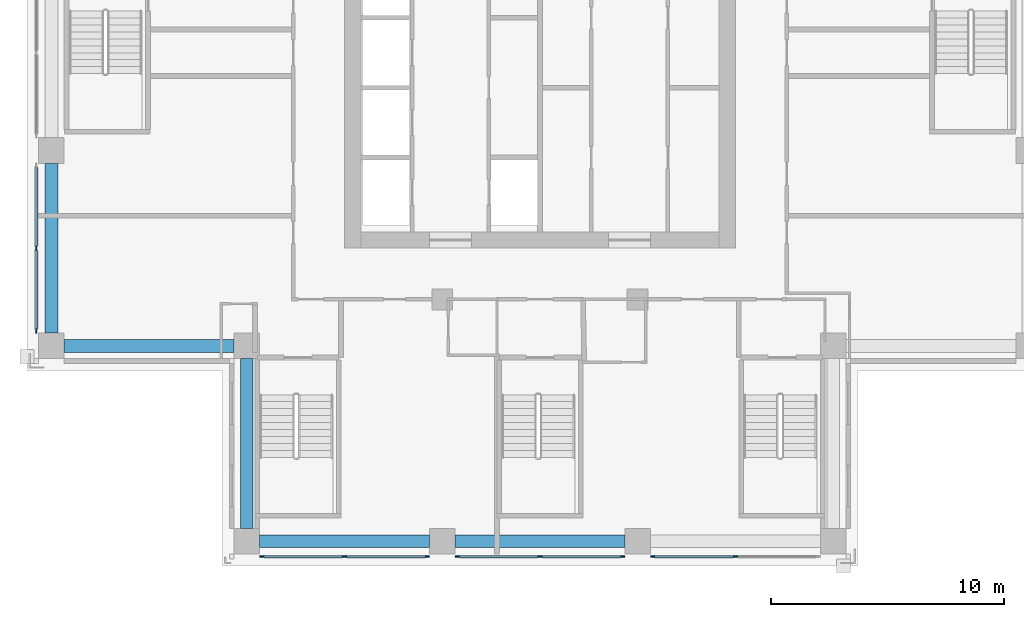
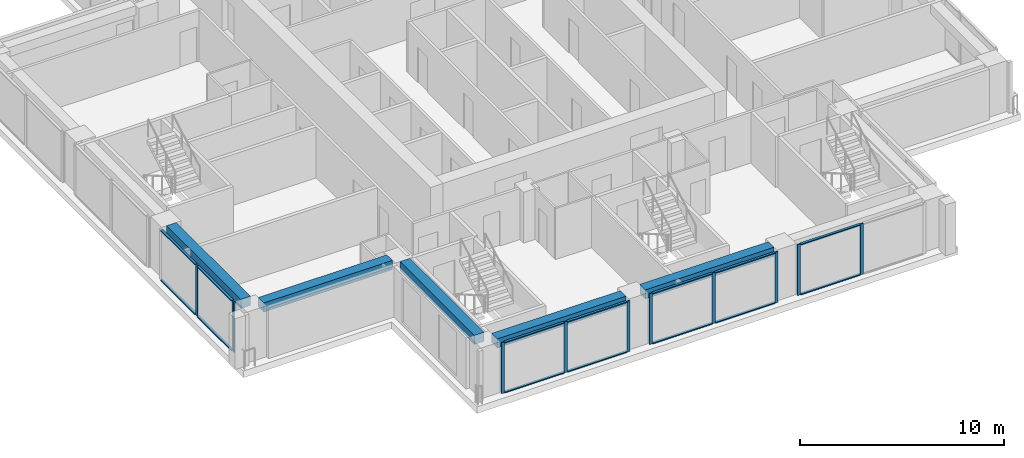
# One storey, part 2 of 16: 24 members, 5 beams, 4 elements without a shape of their own.
"""IFC4 building model written with IfcOpenShell, lengths in metres."""

from ifc_helpers import new_model, si_unit, direction, frame, origin, origin_2d, place, context, subcontext, project, spatial, rectangle, extrude, material, material_profile, profile_set, type_object, element, aggregate, save


model = new_model("IFC4")

# Units and contexts
model_context = context("Model", 3, precision=1e-05, world=origin(), true_north=direction((0.0, 1.0)))
body_context = subcontext(model_context, "Body", "Model", "MODEL_VIEW")
ifc_project = project(units=[si_unit("LENGTHUNIT", "METRE"), si_unit("AREAUNIT", "SQUARE_METRE"), si_unit("VOLUMEUNIT", "CUBIC_METRE"), si_unit("PLANEANGLEUNIT", "RADIAN"), si_unit("MASSUNIT", "GRAM", prefix="KILO")], contexts=[model_context])

# Site, building, storey
site_placement = place(None, origin())
site = spatial("IfcSite", under=ifc_project, at=site_placement, CompositionType="ELEMENT")
building_placement = place(site_placement, origin())
building = spatial("IfcBuilding", under=site, at=building_placement, Name="Vermilion Ogive Tower", CompositionType="ELEMENT")
storey_placement = place(building_placement, frame((0.0, 0.0, 140.0)))
storey = spatial("IfcBuildingStorey", under=building, at=storey_placement, Name="L35", CompositionType="ELEMENT", Elevation=140.0)

# Curtain wall, members
ifc_material_1 = material(Name="Low-iron laminated glazing in aluminium frame", Category="aluminium")
curtain_wall_type = type_object("IfcCurtainWallType", Name="Curtain wall CW7", PredefinedType="NOTDEFINED", material=ifc_material_1)
curtain_wall_1_placement = place(storey_placement, origin())
curtain_wall_1 = element("IfcCurtainWall", 1, at=curtain_wall_1_placement, inside=storey, type_object=curtain_wall_type, Name="Glazed skin S1", PredefinedType="NOTDEFINED")
ifc_material_2 = material(Name="Aluminium mullion", Category="aluminium")
ifc_material_profile_1 = material_profile(ifc_material_2, rectangle(XDim=0.06005859375, YDim=0.179931640625, at=origin_2d()), Name="AL 60x180")
ifc_profile_set_1 = profile_set([ifc_material_profile_1], Name="Aluminium mullion")
member_type_1 = type_object("IfcMemberType", Name="CW7 mullion 60x180", PredefinedType="MULLION", material=ifc_profile_set_1)
member_1_placement = place(storey_placement, frame((-11.9599609375, -21.64990234375, 0.0), z_axis=(0.0, 0.0, 1.0), x_axis=(0.0, 1.0, 0.0)))
member_1 = element("IfcMember", 2, at=member_1_placement, type_object=member_type_1, Name="CW7-S1 mullion 1", PredefinedType="MULLION", context=body_context, shape_type="SweptSolid", body=[
    extrude(rectangle(XDim=0.06005859375, YDim=0.179931640625, at=origin_2d()), origin(), (0.0, 0.0, 1.0), 3.050048828125),
])
member_2_placement = place(storey_placement, frame((-8.39990234375, -21.64990234375, 0.0), z_axis=(0.0, 0.0, 1.0), x_axis=(0.0, 1.0, 0.0)))
member_2 = element("IfcMember", 3, at=member_2_placement, type_object=member_type_1, Name="CW7-S1 mullion 2", PredefinedType="MULLION", context=body_context, shape_type="SweptSolid", body=[
    extrude(rectangle(XDim=0.06005859375, YDim=0.179931640625, at=origin_2d()), origin(), (0.0, 0.0, 1.0), 3.050048828125),
])
member_3_placement = place(storey_placement, frame((-4.840087890625, -21.64990234375, 0.0), z_axis=(0.0, 0.0, 1.0), x_axis=(0.0, 1.0, 0.0)))
member_3 = element("IfcMember", 4, at=member_3_placement, type_object=member_type_1, Name="CW7-S1 mullion 3", PredefinedType="MULLION", context=body_context, shape_type="SweptSolid", body=[
    extrude(rectangle(XDim=0.06005859375, YDim=0.179931640625, at=origin_2d()), origin(), (0.0, 0.0, 1.0), 3.050048828125),
])

curtain_wall_2_placement = place(storey_placement, origin())
curtain_wall_2 = element("IfcCurtainWall", 5, at=curtain_wall_2_placement, inside=storey, type_object=curtain_wall_type, Name="Glazed skin S2", PredefinedType="NOTDEFINED")
member_4_placement = place(storey_placement, frame((-3.56005859375, -21.64990234375, 0.0), z_axis=(0.0, 0.0, 1.0), x_axis=(0.0, 1.0, 0.0)))
member_4 = element("IfcMember", 6, at=member_4_placement, type_object=member_type_1, Name="CW7-S2 mullion 1", PredefinedType="MULLION", context=body_context, shape_type="SweptSolid", body=[
    extrude(rectangle(XDim=0.06005859375, YDim=0.179931640625, at=origin_2d()), origin(), (0.0, 0.0, 1.0), 3.050048828125),
])
member_5_placement = place(storey_placement, frame((0.0, -21.64990234375, 0.0), z_axis=(0.0, 0.0, 1.0), x_axis=(0.0, 1.0, 0.0)))
member_5 = element("IfcMember", 7, at=member_5_placement, type_object=member_type_1, Name="CW7-S2 mullion 2", PredefinedType="MULLION", context=body_context, shape_type="SweptSolid", body=[
    extrude(rectangle(XDim=0.06005859375, YDim=0.179931640625, at=origin_2d()), origin(), (0.0, 0.0, 1.0), 3.050048828125),
])
member_6_placement = place(storey_placement, frame((3.56005859375, -21.64990234375, 0.0), z_axis=(0.0, 0.0, 1.0), x_axis=(0.0, 1.0, 0.0)))
member_6 = element("IfcMember", 8, at=member_6_placement, type_object=member_type_1, Name="CW7-S2 mullion 3", PredefinedType="MULLION", context=body_context, shape_type="SweptSolid", body=[
    extrude(rectangle(XDim=0.06005859375, YDim=0.179931640625, at=origin_2d()), origin(), (0.0, 0.0, 1.0), 3.050048828125),
])

curtain_wall_3_placement = place(storey_placement, origin())
curtain_wall_3 = element("IfcCurtainWall", 9, at=curtain_wall_3_placement, inside=storey, type_object=curtain_wall_type, Name="Glazed skin S3", PredefinedType="NOTDEFINED")
member_7_placement = place(storey_placement, frame((4.840087890625, -21.64990234375, 0.0), z_axis=(0.0, 0.0, 1.0), x_axis=(0.0, 1.0, 0.0)))
member_7 = element("IfcMember", 10, at=member_7_placement, type_object=member_type_1, Name="CW7-S3 mullion 1", PredefinedType="MULLION", context=body_context, shape_type="SweptSolid", body=[
    extrude(rectangle(XDim=0.06005859375, YDim=0.179931640625, at=origin_2d()), origin(), (0.0, 0.0, 1.0), 3.050048828125),
])
member_8_placement = place(storey_placement, frame((8.39990234375, -21.64990234375, 0.0), z_axis=(0.0, 0.0, 1.0), x_axis=(0.0, 1.0, 0.0)))
member_8 = element("IfcMember", 11, at=member_8_placement, type_object=member_type_1, Name="CW7-S3 mullion 2", PredefinedType="MULLION", context=body_context, shape_type="SweptSolid", body=[
    extrude(rectangle(XDim=0.06005859375, YDim=0.179931640625, at=origin_2d()), origin(), (0.0, 0.0, 1.0), 3.050048828125),
])

curtain_wall_4_placement = place(storey_placement, origin())
curtain_wall_4 = element("IfcCurtainWall", 12, at=curtain_wall_4_placement, inside=storey, type_object=curtain_wall_type, Name="Glazed skin W3", PredefinedType="NOTDEFINED")
member_9_placement = place(storey_placement, frame((-21.64990234375, -8.39990234375, 0.0), z_axis=(0.0, 0.0, 1.0), x_axis=(1.0, 0.0, 0.0)))
member_9 = element("IfcMember", 13, at=member_9_placement, type_object=member_type_1, Name="CW7-W3 mullion 2", PredefinedType="MULLION", context=body_context, shape_type="SweptSolid", body=[
    extrude(rectangle(XDim=0.06005859375, YDim=0.179931640625, at=origin_2d()), origin(), (0.0, 0.0, 1.0), 3.050048828125),
])
member_10_placement = place(storey_placement, frame((-21.64990234375, -11.9599609375, 0.0), z_axis=(0.0, 0.0, 1.0), x_axis=(1.0, 0.0, 0.0)))
member_10 = element("IfcMember", 14, at=member_10_placement, type_object=member_type_1, Name="CW7-W3 mullion 3", PredefinedType="MULLION", context=body_context, shape_type="SweptSolid", body=[
    extrude(rectangle(XDim=0.06005859375, YDim=0.179931640625, at=origin_2d()), origin(), (0.0, 0.0, 1.0), 3.050048828125),
])

# Member
ifc_material_3 = material(Name="Aluminium transom", Category="aluminium")
ifc_material_profile_2 = material_profile(ifc_material_3, rectangle(XDim=0.139892578125, YDim=0.06005859375, at=origin_2d()), Name="AL 60x140")
ifc_profile_set_2 = profile_set([ifc_material_profile_2], Name="Aluminium transom")
member_type_2 = type_object("IfcMemberType", Name="CW7 transom 60x140", PredefinedType="USERDEFINED", material=ifc_profile_set_2)
member_11_placement = place(storey_placement, frame((-11.8701171875, -21.64990234375, 0.030029296875), z_axis=(1.0, 0.0, 0.0), x_axis=(0.0, 1.0, 0.0)))
member_11 = element("IfcMember", 15, at=member_11_placement, type_object=member_type_2, Name="CW7-S1 transom 1.1", ObjectType="TRANSOM", PredefinedType="USERDEFINED", context=body_context, shape_type="SweptSolid", body=[
    extrude(rectangle(XDim=0.139892578125, YDim=0.06005859375, at=origin_2d()), origin(), (0.0, 0.0, 1.0), 3.380126953125),
])

member_12_placement = place(storey_placement, frame((-11.8701171875, -21.64990234375, 3.02001953125), z_axis=(1.0, 0.0, 0.0), x_axis=(0.0, 1.0, 0.0)))
member_12 = element("IfcMember", 16, at=member_12_placement, type_object=member_type_2, Name="CW7-S1 transom 1.2", ObjectType="TRANSOM", PredefinedType="USERDEFINED", context=body_context, shape_type="SweptSolid", body=[
    extrude(rectangle(XDim=0.139892578125, YDim=0.06005859375, at=origin_2d()), origin(), (0.0, 0.0, 1.0), 3.380126953125),
])

member_13_placement = place(storey_placement, frame((-8.31005859375, -21.64990234375, 0.030029296875), z_axis=(1.0, 0.0, 0.0), x_axis=(0.0, 1.0, 0.0)))
member_13 = element("IfcMember", 17, at=member_13_placement, type_object=member_type_2, Name="CW7-S1 transom 2.1", ObjectType="TRANSOM", PredefinedType="USERDEFINED", context=body_context, shape_type="SweptSolid", body=[
    extrude(rectangle(XDim=0.139892578125, YDim=0.06005859375, at=origin_2d()), origin(), (0.0, 0.0, 1.0), 3.380126953125),
])

member_14_placement = place(storey_placement, frame((-8.31005859375, -21.64990234375, 3.02001953125), z_axis=(1.0, 0.0, 0.0), x_axis=(0.0, 1.0, 0.0)))
member_14 = element("IfcMember", 18, at=member_14_placement, type_object=member_type_2, Name="CW7-S1 transom 2.2", ObjectType="TRANSOM", PredefinedType="USERDEFINED", context=body_context, shape_type="SweptSolid", body=[
    extrude(rectangle(XDim=0.139892578125, YDim=0.06005859375, at=origin_2d()), origin(), (0.0, 0.0, 1.0), 3.380126953125),
])

aggregate(curtain_wall_1, [member_1, member_2, member_3, member_11, member_12, member_13, member_14])

member_15_placement = place(storey_placement, frame((-3.469970703125, -21.64990234375, 0.030029296875), z_axis=(1.0, 0.0, 0.0), x_axis=(0.0, 1.0, 0.0)))
member_15 = element("IfcMember", 19, at=member_15_placement, type_object=member_type_2, Name="CW7-S2 transom 1.1", ObjectType="TRANSOM", PredefinedType="USERDEFINED", context=body_context, shape_type="SweptSolid", body=[
    extrude(rectangle(XDim=0.139892578125, YDim=0.06005859375, at=origin_2d()), origin(), (0.0, 0.0, 1.0), 3.3798828125),
])

member_16_placement = place(storey_placement, frame((-3.469970703125, -21.64990234375, 3.02001953125), z_axis=(1.0, 0.0, 0.0), x_axis=(0.0, 1.0, 0.0)))
member_16 = element("IfcMember", 20, at=member_16_placement, type_object=member_type_2, Name="CW7-S2 transom 1.2", ObjectType="TRANSOM", PredefinedType="USERDEFINED", context=body_context, shape_type="SweptSolid", body=[
    extrude(rectangle(XDim=0.139892578125, YDim=0.06005859375, at=origin_2d()), origin(), (0.0, 0.0, 1.0), 3.3798828125),
])

member_17_placement = place(storey_placement, frame((0.090087890625, -21.64990234375, 0.030029296875), z_axis=(1.0, 0.0, 0.0), x_axis=(0.0, 1.0, 0.0)))
member_17 = element("IfcMember", 21, at=member_17_placement, type_object=member_type_2, Name="CW7-S2 transom 2.1", ObjectType="TRANSOM", PredefinedType="USERDEFINED", context=body_context, shape_type="SweptSolid", body=[
    extrude(rectangle(XDim=0.139892578125, YDim=0.06005859375, at=origin_2d()), origin(), (0.0, 0.0, 1.0), 3.3798828125),
])

member_18_placement = place(storey_placement, frame((0.090087890625, -21.64990234375, 3.02001953125), z_axis=(1.0, 0.0, 0.0), x_axis=(0.0, 1.0, 0.0)))
member_18 = element("IfcMember", 22, at=member_18_placement, type_object=member_type_2, Name="CW7-S2 transom 2.2", ObjectType="TRANSOM", PredefinedType="USERDEFINED", context=body_context, shape_type="SweptSolid", body=[
    extrude(rectangle(XDim=0.139892578125, YDim=0.06005859375, at=origin_2d()), origin(), (0.0, 0.0, 1.0), 3.3798828125),
])

aggregate(curtain_wall_2, [member_4, member_5, member_6, member_15, member_16, member_17, member_18])

member_19_placement = place(storey_placement, frame((4.929931640625, -21.64990234375, 0.030029296875), z_axis=(1.0, 0.0, 0.0), x_axis=(0.0, 1.0, 0.0)))
member_19 = element("IfcMember", 23, at=member_19_placement, type_object=member_type_2, Name="CW7-S3 transom 1.1", ObjectType="TRANSOM", PredefinedType="USERDEFINED", context=body_context, shape_type="SweptSolid", body=[
    extrude(rectangle(XDim=0.139892578125, YDim=0.06005859375, at=origin_2d()), origin(), (0.0, 0.0, 1.0), 3.380126953125),
])

member_20_placement = place(storey_placement, frame((4.929931640625, -21.64990234375, 3.02001953125), z_axis=(1.0, 0.0, 0.0), x_axis=(0.0, 1.0, 0.0)))
member_20 = element("IfcMember", 24, at=member_20_placement, type_object=member_type_2, Name="CW7-S3 transom 1.2", ObjectType="TRANSOM", PredefinedType="USERDEFINED", context=body_context, shape_type="SweptSolid", body=[
    extrude(rectangle(XDim=0.139892578125, YDim=0.06005859375, at=origin_2d()), origin(), (0.0, 0.0, 1.0), 3.380126953125),
])

aggregate(curtain_wall_3, [member_7, member_8, member_19, member_20])

member_21_placement = place(storey_placement, frame((-21.64990234375, -4.929931640625, 0.030029296875), z_axis=(0.0, -1.0, 0.0), x_axis=(1.0, 0.0, 0.0)))
member_21 = element("IfcMember", 25, at=member_21_placement, type_object=member_type_2, Name="CW7-W3 transom 1.1", ObjectType="TRANSOM", PredefinedType="USERDEFINED", context=body_context, shape_type="SweptSolid", body=[
    extrude(rectangle(XDim=0.139892578125, YDim=0.06005859375, at=origin_2d()), origin(), (0.0, 0.0, 1.0), 3.380126953125),
])

member_22_placement = place(storey_placement, frame((-21.64990234375, -4.929931640625, 3.02001953125), z_axis=(0.0, -1.0, 0.0), x_axis=(1.0, 0.0, 0.0)))
member_22 = element("IfcMember", 26, at=member_22_placement, type_object=member_type_2, Name="CW7-W3 transom 1.2", ObjectType="TRANSOM", PredefinedType="USERDEFINED", context=body_context, shape_type="SweptSolid", body=[
    extrude(rectangle(XDim=0.139892578125, YDim=0.06005859375, at=origin_2d()), origin(), (0.0, 0.0, 1.0), 3.380126953125),
])

member_23_placement = place(storey_placement, frame((-21.64990234375, -8.489990234375, 0.030029296875), z_axis=(0.0, -1.0, 0.0), x_axis=(1.0, 0.0, 0.0)))
member_23 = element("IfcMember", 27, at=member_23_placement, type_object=member_type_2, Name="CW7-W3 transom 2.1", ObjectType="TRANSOM", PredefinedType="USERDEFINED", context=body_context, shape_type="SweptSolid", body=[
    extrude(rectangle(XDim=0.139892578125, YDim=0.06005859375, at=origin_2d()), origin(), (0.0, 0.0, 1.0), 3.380126953125),
])

member_24_placement = place(storey_placement, frame((-21.64990234375, -8.489990234375, 3.02001953125), z_axis=(0.0, -1.0, 0.0), x_axis=(1.0, 0.0, 0.0)))
member_24 = element("IfcMember", 28, at=member_24_placement, type_object=member_type_2, Name="CW7-W3 transom 2.2", ObjectType="TRANSOM", PredefinedType="USERDEFINED", context=body_context, shape_type="SweptSolid", body=[
    extrude(rectangle(XDim=0.139892578125, YDim=0.06005859375, at=origin_2d()), origin(), (0.0, 0.0, 1.0), 3.380126953125),
])

aggregate(curtain_wall_4, [member_9, member_10, member_21, member_22, member_23, member_24])

# Beams
ifc_material_4 = material(Name="Concrete B45", Category="concrete")
ifc_material_profile_3 = material_profile(ifc_material_4, rectangle(XDim=0.550048828125, YDim=0.550048828125, at=origin_2d()), Name="550 x 550")
ifc_profile_set_3 = profile_set([ifc_material_profile_3], Name="Concrete B45")
beam_type = type_object("IfcBeamType", Name="Edge beam 550 x 550 B45", PredefinedType="BEAM", material=ifc_profile_set_3)
beam_1_placement = place(storey_placement, frame((-12.050048828125, -21.0, 2.77490234375), z_axis=(1.0, 0.0, 0.0), x_axis=(0.0, 1.0, 0.0)))
element("IfcBeam", 29, at=beam_1_placement, inside=storey, type_object=beam_type, Name="L35-EB-1", PredefinedType="BEAM", context=body_context, shape_type="SweptSolid", body=[
    extrude(rectangle(XDim=0.550048828125, YDim=0.550048828125, at=origin_2d()), origin(), (0.0, 0.0, 1.0), 7.300048828125),
])
beam_2_placement = place(storey_placement, frame((-3.64990234375, -21.0, 2.77490234375), z_axis=(1.0, 0.0, 0.0), x_axis=(0.0, 1.0, 0.0)))
element("IfcBeam", 30, at=beam_2_placement, inside=storey, type_object=beam_type, Name="L35-EB-2", PredefinedType="BEAM", context=body_context, shape_type="SweptSolid", body=[
    extrude(rectangle(XDim=0.550048828125, YDim=0.550048828125, at=origin_2d()), origin(), (0.0, 0.0, 1.0), 7.2998046875),
])
for number, where, z_axis, x_axis, name in (
    (31, (-21.0, -4.75, 2.77490234375), (0.0, -1.0, 0.0), (1.0, 0.0, 0.0), "L35-EB-15"),
    (32, (-20.449951171875, -12.60009765625, 2.77490234375), (1.0, 0.0, 0.0), (0.0, 1.0, 0.0), "L35-EB-16"),
    (33, (-12.60009765625, -13.14990234375, 2.77490234375), (0.0, -1.0, 0.0), (1.0, 0.0, 0.0), "L35-EB-17"),
):
    element("IfcBeam", number, at=place(storey_placement, frame(where, z_axis=z_axis, x_axis=x_axis)), inside=storey, type_object=beam_type, Name=name, PredefinedType="BEAM", context=body_context, shape_type="SweptSolid", body=[
        extrude(rectangle(XDim=0.550048828125, YDim=0.550048828125, at=origin_2d()), origin(), (0.0, 0.0, 1.0), 7.300048828125),
    ])

save(model, "model.ifc")
